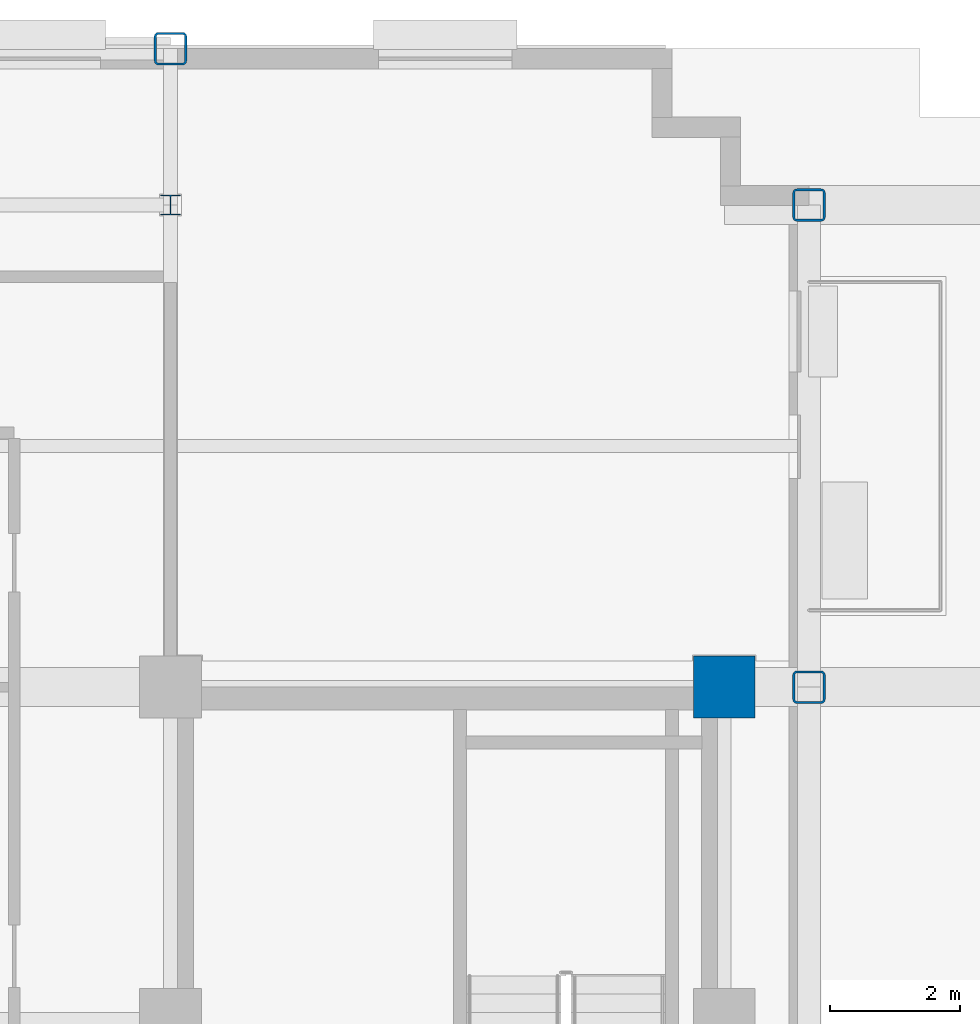
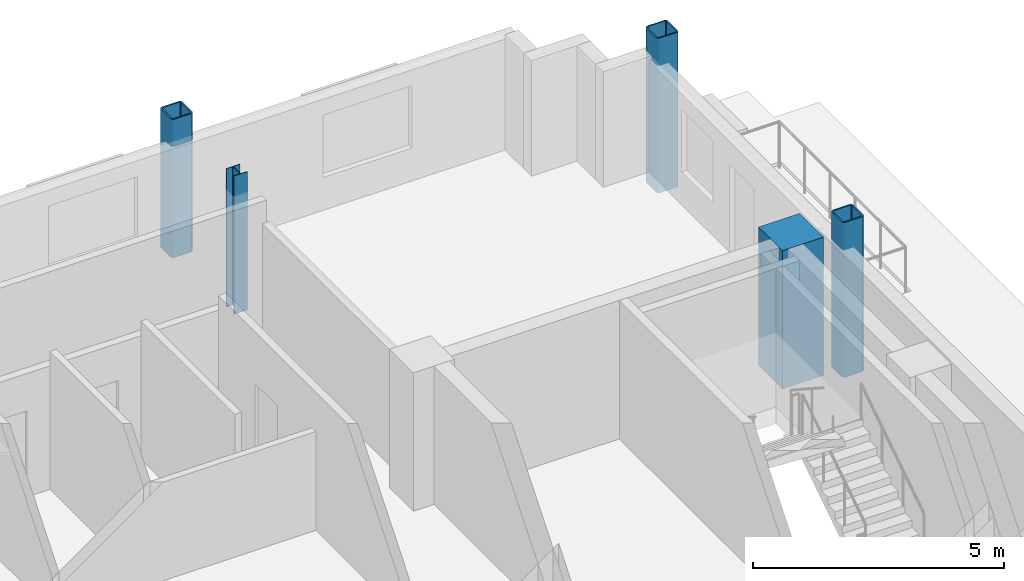
# One storey, part 4 of 16: 5 columns.
"""IFC4 building model written with IfcOpenShell, lengths in metres."""

from ifc_helpers import new_model, si_unit, direction, frame, origin, origin_2d, place, context, subcontext, project, spatial, rectangle, hollow_rectangle, i_section, extrude, material, material_profile, profile_set, type_object, element, save


model = new_model("IFC4")

# Units and contexts
model_context = context("Model", 3, precision=1e-05, world=origin(), true_north=direction((0.0, 1.0)))
body_context = subcontext(model_context, "Body", "Model", "MODEL_VIEW")
ifc_project = project(units=[si_unit("LENGTHUNIT", "METRE"), si_unit("AREAUNIT", "SQUARE_METRE"), si_unit("VOLUMEUNIT", "CUBIC_METRE"), si_unit("PLANEANGLEUNIT", "RADIAN"), si_unit("MASSUNIT", "GRAM", prefix="KILO")], contexts=[model_context])

# Site, building, storey
site_placement = place(None, origin())
site = spatial("IfcSite", under=ifc_project, at=site_placement, CompositionType="ELEMENT")
building_placement = place(site_placement, origin())
building = spatial("IfcBuilding", under=site, at=building_placement, Name="Nuvemarco Arch Tower", CompositionType="ELEMENT")
storey_placement = place(building_placement, frame((0.0, 0.0, 209.14990234375)))
storey = spatial("IfcBuildingStorey", under=building, at=storey_placement, Name="L55", CompositionType="ELEMENT", Elevation=209.14990234375)

# Columns
ifc_material_1 = material(Name="Concrete C50/60", Category="concrete")
ifc_material_profile_1 = material_profile(ifc_material_1, rectangle(XDim=0.949951171875, YDim=0.949951171875, at=origin_2d()), Name="RC-COL-950x950")
ifc_profile_set_1 = profile_set([ifc_material_profile_1], Name="Concrete C50/60")
column_type_1 = type_object("IfcColumnType", Name="COL-CORE-950", PredefinedType="COLUMN", material=ifc_profile_set_1)
column_1_placement = place(storey_placement, frame((17.5, 9.60009765625, 0.0), z_axis=(0.0, 0.0, 1.0), x_axis=(1.0, 0.0, 0.0)))
element("IfcColumn", 1, at=column_1_placement, inside=storey, type_object=column_type_1, Name="L55 column CC_+17.5_+9.6", PredefinedType="COLUMN", context=body_context, shape_type="SweptSolid", body=[
    extrude(rectangle(XDim=0.949951171875, YDim=0.949951171875, at=origin_2d()), origin(), (0.0, 0.0, 1.0), 3.3701171875),
])
ifc_material_2 = material(Name="Steel S355", Category="steel")
ifc_material_profile_2 = material_profile(ifc_material_2, hollow_rectangle(XDim=0.5, YDim=0.5, WallThickness=0.031982421875, InnerFilletRadius=0.031982421875, OuterFilletRadius=0.06396484375, at=origin_2d()), Name="SHS500x500x32")
ifc_profile_set_2 = profile_set([ifc_material_profile_2], Name="Steel S355")
column_type_2 = type_object("IfcColumnType", Name="COL-EXO-500", PredefinedType="COLUMN", material=ifc_profile_set_2)
for number, where, z_axis, x_axis, name in (
    (2, (18.800048828125, 9.60009765625, -0.39990234375), (0.0, 0.0, 1.0), (1.0, 0.0, 0.0), "L55 column CX_+18.8_+9.6"),
    (3, (18.800048828125, 17.0, -0.39990234375), (0.0, 0.0, 1.0), (1.0, 0.0, 0.0), "L55 column CX_+18.8_+17.0"),
):
    element("IfcColumn", number, at=place(storey_placement, frame(where, z_axis=z_axis, x_axis=x_axis)), inside=storey, type_object=column_type_2, Name=name, PredefinedType="COLUMN", context=body_context, shape_type="SweptSolid", body=[
        extrude(hollow_rectangle(XDim=0.5, YDim=0.5, WallThickness=0.031982421875, InnerFilletRadius=0.031982421875, OuterFilletRadius=0.06396484375, at=origin_2d()), origin(), (0.0, 0.0, 1.0), 3.77001953125),
    ])
column_2_placement = place(storey_placement, frame((9.0, 19.39990234375, 0.0), z_axis=(0.0, 0.0, 1.0), x_axis=(1.0, 0.0, 0.0)))
element("IfcColumn", 4, at=column_2_placement, inside=storey, type_object=column_type_2, Name="L55 column CY_+9.0_+19.4", PredefinedType="COLUMN", context=body_context, shape_type="SweptSolid", body=[
    extrude(hollow_rectangle(XDim=0.5, YDim=0.5, WallThickness=0.031982421875, InnerFilletRadius=0.031982421875, OuterFilletRadius=0.06396484375, at=origin_2d()), origin(), (0.0, 0.0, 1.0), 3.3701171875),
])
ifc_material_profile_3 = material_profile(ifc_material_2, i_section(OverallWidth=0.31005859375, OverallDepth=0.31005859375, WebThickness=0.015380859375, FlangeThickness=0.015380859375, FilletRadius=0.014892578125, at=origin_2d()), Name="HP310x110")
ifc_profile_set_3 = profile_set([ifc_material_profile_3], Name="Steel S355")
column_type_3 = type_object("IfcColumnType", Name="COL-STL-HP310", PredefinedType="COLUMN", material=ifc_profile_set_3)
column_3_placement = place(storey_placement, frame((9.0, 17.0, 0.0), z_axis=(0.0, 0.0, 1.0), x_axis=(1.0, 0.0, 0.0)))
element("IfcColumn", 5, at=column_3_placement, inside=storey, type_object=column_type_3, Name="L55 column CI_+9.0_+17.0", PredefinedType="COLUMN", context=body_context, shape_type="SweptSolid", body=[
    extrude(i_section(OverallWidth=0.31005859375, OverallDepth=0.31005859375, WebThickness=0.015380859375, FlangeThickness=0.015380859375, FilletRadius=0.014892578125, at=origin_2d()), origin(), (0.0, 0.0, 1.0), 3.3701171875),
])

save(model, "model.ifc")
